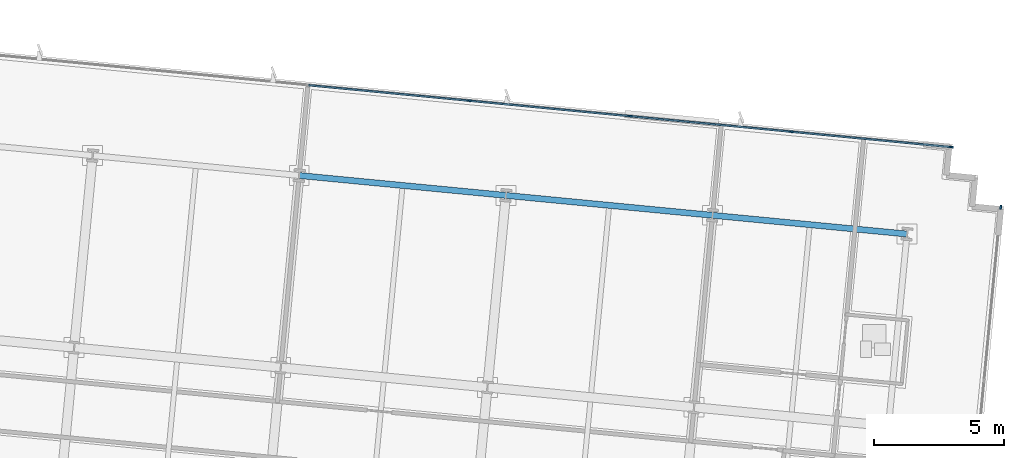
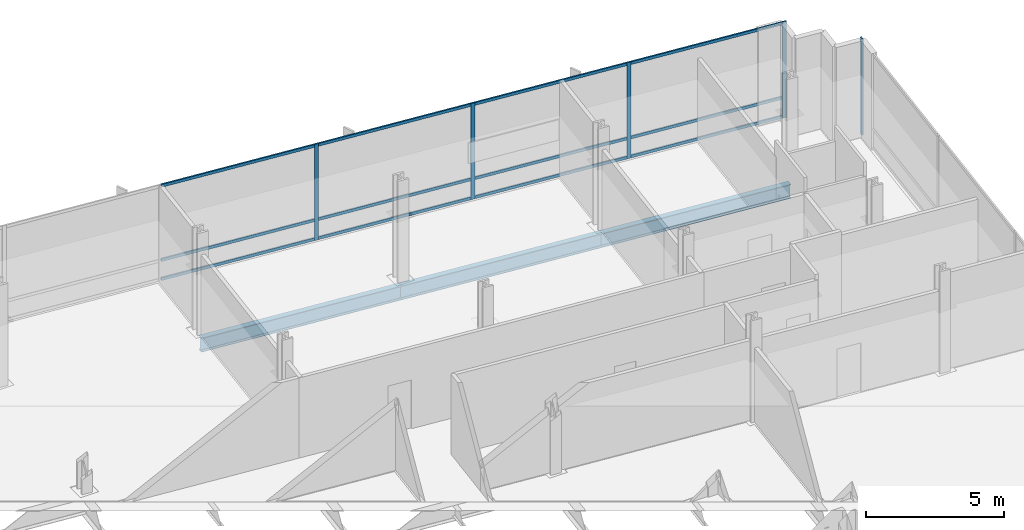
# One storey, part 9 of 17: 17 members, 3 beams, 2 elements without a shape of their own.
"""IFC4 building model written with IfcOpenShell, lengths in metres."""

from ifc_helpers import new_model, si_unit, direction, frame, origin, origin_2d, place, context, subcontext, project, spatial, rectangle, i_section, extrude, material, material_profile, profile_set, type_object, element, aggregate, save


model = new_model("IFC4")

# Units and contexts
model_context = context("Model", 3, precision=1e-05, world=origin(), true_north=direction((0.0, 1.0)))
body_context = subcontext(model_context, "Body", "Model", "MODEL_VIEW")
ifc_project = project(units=[si_unit("LENGTHUNIT", "METRE"), si_unit("AREAUNIT", "SQUARE_METRE"), si_unit("VOLUMEUNIT", "CUBIC_METRE"), si_unit("PLANEANGLEUNIT", "RADIAN"), si_unit("MASSUNIT", "GRAM", prefix="KILO")], contexts=[model_context])

# Site, building, storey
site_placement = place(None, origin())
site = spatial("IfcSite", under=ifc_project, at=site_placement, CompositionType="ELEMENT")
building_placement = place(site_placement, origin())
building = spatial("IfcBuilding", under=site, at=building_placement, Name="Solmavex Isthmus Hotel", CompositionType="ELEMENT")
storey_placement = place(building_placement, frame((0.0, 0.0, 177.300048828125)))
storey = spatial("IfcBuildingStorey", under=building, at=storey_placement, Name="L48", CompositionType="ELEMENT", Elevation=177.300048828125)

# Beams
ifc_material_1 = material(Name="Steel ASTM A992 Grade 50", Category="steel")
ifc_material_profile_1 = material_profile(ifc_material_1, i_section(OverallWidth=0.230224609375, OverallDepth=0.617431640625, WebThickness=0.01318359375, FlangeThickness=0.022216796875, FilletRadius=0.01513671875, at=origin_2d()), Name="W24X94")
ifc_profile_set_1 = profile_set([ifc_material_profile_1], Name="Steel ASTM A992 Grade 50")
beam_type = type_object("IfcBeamType", Name="BM-SP-W24X94", PredefinedType="SPANDREL", material=ifc_profile_set_1)
beam_1_placement = place(storey_placement, frame((1.276123046875, 18.72900390625, -0.56884765625), z_axis=(0.995397158178, -0.095835783981, 0.0), x_axis=(0.095835783981, 0.995397158178, 0.0)))
element("IfcBeam", 1, at=beam_1_placement, inside=storey, type_object=beam_type, Name="Floor Girder L48-UG18", PredefinedType="SPANDREL", context=body_context, shape_type="SweptSolid", body=[
    extrude(i_section(OverallWidth=0.230224609375, OverallDepth=0.617431640625, WebThickness=0.01318359375, FlangeThickness=0.022216796875, FilletRadius=0.01513671875, at=origin_2d()), origin(), (0.0, 0.0, 1.0), 7.955810546875),
])
beam_2_placement = place(storey_placement, frame((9.1953125, 17.966552734375, -0.56884765625), z_axis=(0.995397440011, -0.095832856685, 0.0), x_axis=(0.095832856685, 0.995397440011, 0.0)))
element("IfcBeam", 2, at=beam_2_placement, inside=storey, type_object=beam_type, Name="Floor Girder L48-UG19", PredefinedType="SPANDREL", context=body_context, shape_type="SweptSolid", body=[
    extrude(i_section(OverallWidth=0.230224609375, OverallDepth=0.617431640625, WebThickness=0.01318359375, FlangeThickness=0.022216796875, FilletRadius=0.01513671875, at=origin_2d()), origin(), (0.0, 0.0, 1.0), 7.9560546875),
])
beam_3_placement = place(storey_placement, frame((17.11474609375, 17.2041015625, -0.56884765625), z_axis=(0.995395279593, -0.095855293875, 0.0), x_axis=(0.095855293875, 0.995395279593, 0.0)))
element("IfcBeam", 3, at=beam_3_placement, inside=storey, type_object=beam_type, Name="Floor Girder L48-UG20", PredefinedType="SPANDREL", context=body_context, shape_type="SweptSolid", body=[
    extrude(i_section(OverallWidth=0.230224609375, OverallDepth=0.617431640625, WebThickness=0.01318359375, FlangeThickness=0.022216796875, FilletRadius=0.01513671875, at=origin_2d()), origin(), (0.0, 0.0, 1.0), 7.488037109375),
])

# Curtain wall, members
ifc_material_2 = material(Name="Aluminium alloy 6063-T6", Category="aluminium")
curtain_wall_type = type_object("IfcCurtainWallType", Name="CW-SYS-05", PredefinedType="NOTDEFINED", material=ifc_material_2)
curtain_wall_1_placement = place(storey_placement, origin())
curtain_wall_1 = element("IfcCurtainWall", 4, at=curtain_wall_1_placement, inside=storey, type_object=curtain_wall_type, Name="Stick Curtain Wall CWL-L48-N1", PredefinedType="NOTDEFINED")
ifc_material_profile_2 = material_profile(ifc_material_2, rectangle(XDim=0.06494140625, YDim=0.159912109375, at=origin_2d()), Name="CWM-65X160")
ifc_profile_set_2 = profile_set([ifc_material_profile_2], Name="Aluminium alloy 6063-T6")
member_type_1 = type_object("IfcMemberType", Name="CW-SYS-05-MUL", PredefinedType="MULLION", material=ifc_profile_set_2)
member_1_placement = place(storey_placement, frame((7.781005859375, 21.598876953125, 0.0), z_axis=(0.0, 0.0, 1.0), x_axis=(0.09584556901, 0.995396216037, 0.0)))
member_1 = element("IfcMember", 5, at=member_1_placement, type_object=member_type_1, Name="CW-05 mullion 6", PredefinedType="MULLION", context=body_context, shape_type="SweptSolid", body=[
    extrude(rectangle(XDim=0.06494140625, YDim=0.159912109375, at=origin_2d()), origin(), (0.0, 0.0, 1.0), 4.239990234375),
])
member_2_placement = place(storey_placement, frame((13.952392578125, 21.004638671875, 0.0), z_axis=(0.0, 0.0, 1.0), x_axis=(0.09584556901, 0.995396216037, 0.0)))
member_2 = element("IfcMember", 6, at=member_2_placement, type_object=member_type_1, Name="CW-05 mullion 7", PredefinedType="MULLION", context=body_context, shape_type="SweptSolid", body=[
    extrude(rectangle(XDim=0.06494140625, YDim=0.159912109375, at=origin_2d()), origin(), (0.0, 0.0, 1.0), 4.239990234375),
])
member_3_placement = place(storey_placement, frame((20.1240234375, 20.410400390625, 0.0), z_axis=(0.0, 0.0, 1.0), x_axis=(0.09584556901, 0.995396216037, 0.0)))
member_3 = element("IfcMember", 7, at=member_3_placement, type_object=member_type_1, Name="CW-05 mullion 8", PredefinedType="MULLION", context=body_context, shape_type="SweptSolid", body=[
    extrude(rectangle(XDim=0.06494140625, YDim=0.159912109375, at=origin_2d()), origin(), (0.0, 0.0, 1.0), 4.239990234375),
])
member_4_placement = place(storey_placement, frame((26.262939453125, 19.8193359375, 0.0), z_axis=(0.0, 0.0, 1.0), x_axis=(0.09584556901, 0.995396216037, 0.0)))
member_4 = element("IfcMember", 8, at=member_4_placement, type_object=member_type_1, Name="CW-05 mullion 9", PredefinedType="MULLION", context=body_context, shape_type="SweptSolid", body=[
    extrude(rectangle(XDim=0.06494140625, YDim=0.159912109375, at=origin_2d()), origin(), (0.0, 0.0, 1.0), 4.239990234375),
])

# Curtain wall, member
curtain_wall_2_placement = place(storey_placement, origin())
curtain_wall_2 = element("IfcCurtainWall", 9, at=curtain_wall_2_placement, inside=storey, type_object=curtain_wall_type, Name="Stick Curtain Wall CWL-L48-E1", PredefinedType="NOTDEFINED")
member_5_placement = place(storey_placement, frame((28.163330078125, 17.513916015625, 0.0), z_axis=(0.0, 0.0, 1.0), x_axis=(-0.995396190038, 0.09584583902, 0.0)))
member_5 = element("IfcMember", 10, at=member_5_placement, type_object=member_type_1, Name="CW-05 mullion 6", PredefinedType="MULLION", context=body_context, shape_type="SweptSolid", body=[
    extrude(rectangle(XDim=0.06494140625, YDim=0.159912109375, at=origin_2d()), origin(), (0.0, 0.0, 1.0), 4.239990234375),
])
aggregate(curtain_wall_2, [member_5])

# Member
ifc_material_profile_3 = material_profile(ifc_material_2, rectangle(XDim=0.06494140625, YDim=0.125, at=origin_2d()), Name="CWT-65X125")
ifc_profile_set_3 = profile_set([ifc_material_profile_3], Name="Aluminium alloy 6063-T6")
member_type_2 = type_object("IfcMemberType", Name="CW-SYS-05-TRN", PredefinedType="USERDEFINED", material=ifc_profile_set_3)
member_6_placement = place(storey_placement, frame((1.641845703125, 22.18994140625, 0.0625), z_axis=(0.995398378252, -0.095823110851, 0.0), x_axis=(0.095823110851, 0.995398378252, 0.0)))
member_6 = element("IfcMember", 11, at=member_6_placement, type_object=member_type_2, Name="CW-05 transom 5.1", ObjectType="TRANSOM", PredefinedType="USERDEFINED", context=body_context, shape_type="SweptSolid", body=[
    extrude(rectangle(XDim=0.06494140625, YDim=0.125, at=origin_2d()), origin(), (0.0, 0.0, 1.0), 6.13525390625),
])

member_7_placement = place(storey_placement, frame((1.641845703125, 22.18994140625, 0.89990234375), z_axis=(0.995398378252, -0.095823110851, 0.0), x_axis=(0.095823110851, 0.995398378252, 0.0)))
member_7 = element("IfcMember", 12, at=member_7_placement, type_object=member_type_2, Name="CW-05 transom 5.2", ObjectType="TRANSOM", PredefinedType="USERDEFINED", context=body_context, shape_type="SweptSolid", body=[
    extrude(rectangle(XDim=0.06494140625, YDim=0.125, at=origin_2d()), origin(), (0.0, 0.0, 1.0), 6.13525390625),
])

member_8_placement = place(storey_placement, frame((1.641845703125, 22.18994140625, 4.177490234375), z_axis=(0.995398378252, -0.095823110851, 0.0), x_axis=(0.095823110851, 0.995398378252, 0.0)))
member_8 = element("IfcMember", 13, at=member_8_placement, type_object=member_type_2, Name="CW-05 transom 5.3", ObjectType="TRANSOM", PredefinedType="USERDEFINED", context=body_context, shape_type="SweptSolid", body=[
    extrude(rectangle(XDim=0.06494140625, YDim=0.125, at=origin_2d()), origin(), (0.0, 0.0, 1.0), 6.13525390625),
])

member_9_placement = place(storey_placement, frame((7.8134765625, 21.595703125, 0.0625), z_axis=(0.995398012842, -0.095826906606, 0.0), x_axis=(0.095826906606, 0.995398012842, 0.0)))
member_9 = element("IfcMember", 14, at=member_9_placement, type_object=member_type_2, Name="CW-05 transom 6.1", ObjectType="TRANSOM", PredefinedType="USERDEFINED", context=body_context, shape_type="SweptSolid", body=[
    extrude(rectangle(XDim=0.06494140625, YDim=0.125, at=origin_2d()), origin(), (0.0, 0.0, 1.0), 6.135009765625),
])

member_10_placement = place(storey_placement, frame((7.8134765625, 21.595703125, 0.89990234375), z_axis=(0.995398012842, -0.095826906606, 0.0), x_axis=(0.095826906606, 0.995398012842, 0.0)))
member_10 = element("IfcMember", 15, at=member_10_placement, type_object=member_type_2, Name="CW-05 transom 6.2", ObjectType="TRANSOM", PredefinedType="USERDEFINED", context=body_context, shape_type="SweptSolid", body=[
    extrude(rectangle(XDim=0.06494140625, YDim=0.125, at=origin_2d()), origin(), (0.0, 0.0, 1.0), 6.135009765625),
])

member_11_placement = place(storey_placement, frame((7.8134765625, 21.595703125, 4.177490234375), z_axis=(0.995398012842, -0.095826906606, 0.0), x_axis=(0.095826906606, 0.995398012842, 0.0)))
member_11 = element("IfcMember", 16, at=member_11_placement, type_object=member_type_2, Name="CW-05 transom 6.3", ObjectType="TRANSOM", PredefinedType="USERDEFINED", context=body_context, shape_type="SweptSolid", body=[
    extrude(rectangle(XDim=0.06494140625, YDim=0.125, at=origin_2d()), origin(), (0.0, 0.0, 1.0), 6.135009765625),
])

member_12_placement = place(storey_placement, frame((13.98486328125, 21.00146484375, 0.0625), z_axis=(0.995398012842, -0.095826906606, 0.0), x_axis=(0.095826906606, 0.995398012842, 0.0)))
member_12 = element("IfcMember", 17, at=member_12_placement, type_object=member_type_2, Name="CW-05 transom 7.1", ObjectType="TRANSOM", PredefinedType="USERDEFINED", context=body_context, shape_type="SweptSolid", body=[
    extrude(rectangle(XDim=0.06494140625, YDim=0.125, at=origin_2d()), origin(), (0.0, 0.0, 1.0), 6.135009765625),
])

member_13_placement = place(storey_placement, frame((13.98486328125, 21.00146484375, 0.89990234375), z_axis=(0.995398012842, -0.095826906606, 0.0), x_axis=(0.095826906606, 0.995398012842, 0.0)))
member_13 = element("IfcMember", 18, at=member_13_placement, type_object=member_type_2, Name="CW-05 transom 7.2", ObjectType="TRANSOM", PredefinedType="USERDEFINED", context=body_context, shape_type="SweptSolid", body=[
    extrude(rectangle(XDim=0.06494140625, YDim=0.125, at=origin_2d()), origin(), (0.0, 0.0, 1.0), 6.135009765625),
])

member_14_placement = place(storey_placement, frame((13.98486328125, 21.00146484375, 4.177490234375), z_axis=(0.995398012842, -0.095826906606, 0.0), x_axis=(0.095826906606, 0.995398012842, 0.0)))
member_14 = element("IfcMember", 19, at=member_14_placement, type_object=member_type_2, Name="CW-05 transom 7.3", ObjectType="TRANSOM", PredefinedType="USERDEFINED", context=body_context, shape_type="SweptSolid", body=[
    extrude(rectangle(XDim=0.06494140625, YDim=0.125, at=origin_2d()), origin(), (0.0, 0.0, 1.0), 6.135009765625),
])

member_15_placement = place(storey_placement, frame((20.15625, 20.4072265625, 0.0625), z_axis=(0.995395312101, -0.095854956304, 0.0), x_axis=(0.095854956304, 0.995395312101, 0.0)))
member_15 = element("IfcMember", 20, at=member_15_placement, type_object=member_type_2, Name="CW-05 transom 8.1", ObjectType="TRANSOM", PredefinedType="USERDEFINED", context=body_context, shape_type="SweptSolid", body=[
    extrude(rectangle(XDim=0.06494140625, YDim=0.125, at=origin_2d()), origin(), (0.0, 0.0, 1.0), 6.1025390625),
])

member_16_placement = place(storey_placement, frame((20.15625, 20.4072265625, 0.89990234375), z_axis=(0.995395312101, -0.095854956304, 0.0), x_axis=(0.095854956304, 0.995395312101, 0.0)))
member_16 = element("IfcMember", 21, at=member_16_placement, type_object=member_type_2, Name="CW-05 transom 8.2", ObjectType="TRANSOM", PredefinedType="USERDEFINED", context=body_context, shape_type="SweptSolid", body=[
    extrude(rectangle(XDim=0.06494140625, YDim=0.125, at=origin_2d()), origin(), (0.0, 0.0, 1.0), 6.1025390625),
])

member_17_placement = place(storey_placement, frame((20.15625, 20.4072265625, 4.177490234375), z_axis=(0.995395312101, -0.095854956304, 0.0), x_axis=(0.095854956304, 0.995395312101, 0.0)))
member_17 = element("IfcMember", 22, at=member_17_placement, type_object=member_type_2, Name="CW-05 transom 8.3", ObjectType="TRANSOM", PredefinedType="USERDEFINED", context=body_context, shape_type="SweptSolid", body=[
    extrude(rectangle(XDim=0.06494140625, YDim=0.125, at=origin_2d()), origin(), (0.0, 0.0, 1.0), 6.1025390625),
])

aggregate(curtain_wall_1, [member_1, member_2, member_3, member_4, member_6, member_7, member_8, member_9, member_10, member_11, member_12, member_13, member_14, member_15, member_16, member_17])

save(model, "model.ifc")
